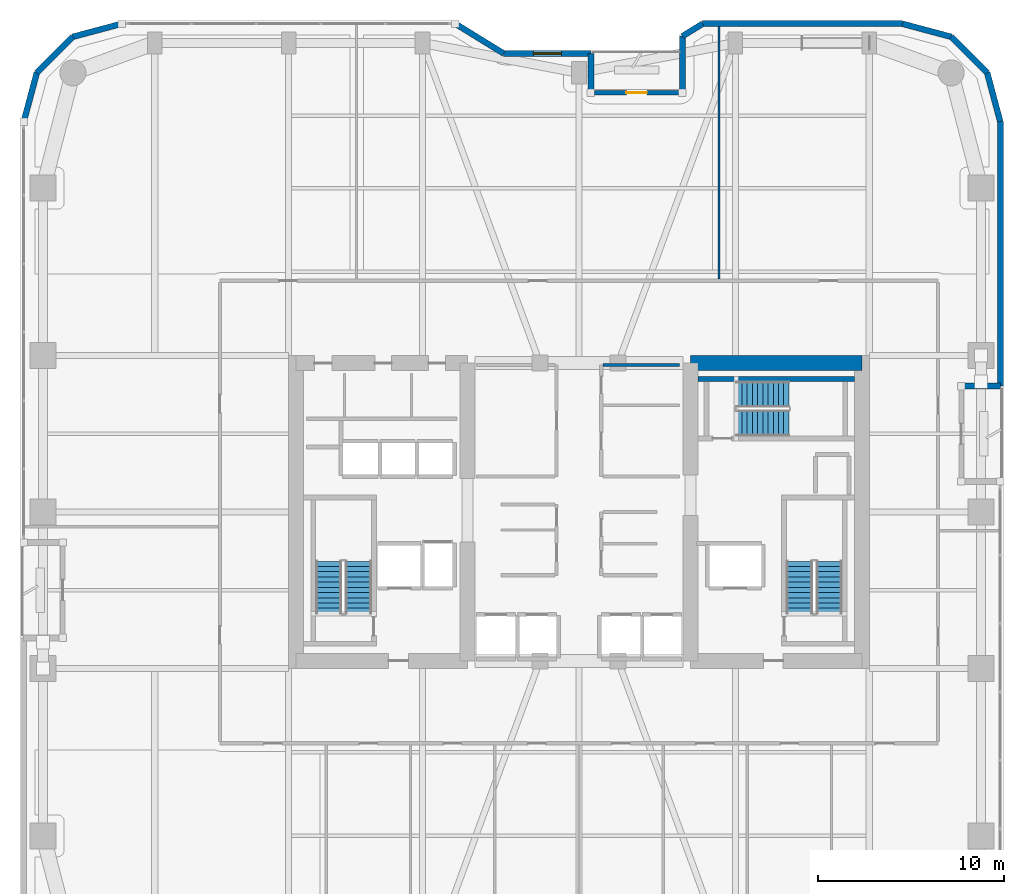
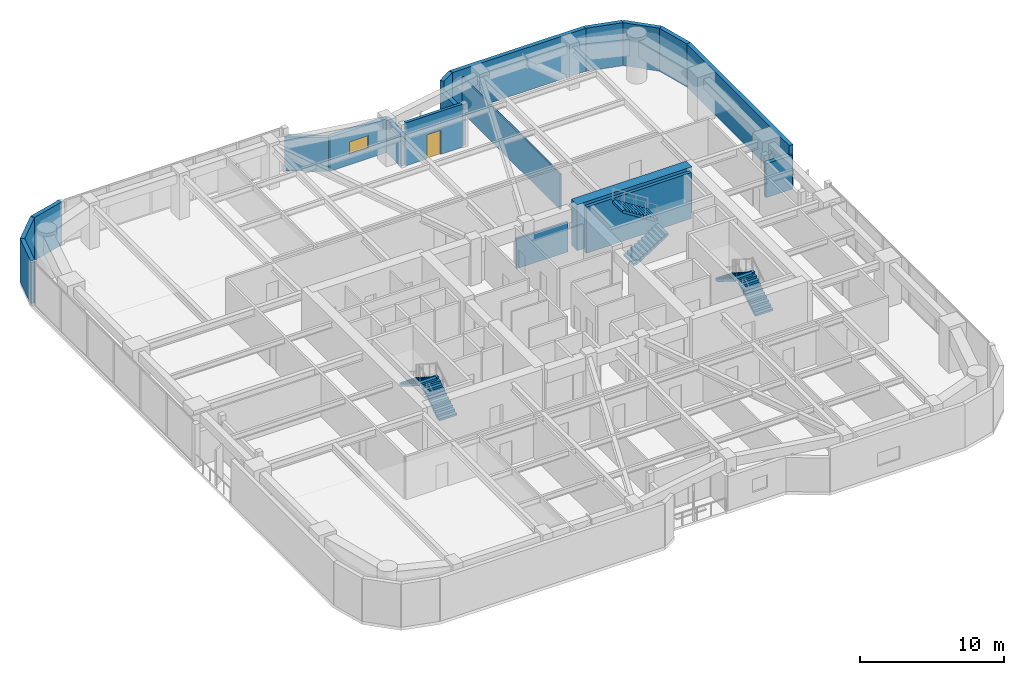
# One storey, part 21 of 24: 19 walls, 6 stair flights, 1 door, 1 window, 2 openings, 3 elements without a shape of their own.
"""IFC4 building model written with IfcOpenShell, lengths in metres."""

from ifc_helpers import new_model, si_unit, direction, frame, frame_2d, origin, place, context, subcontext, project, spatial, polyline, rectangle, outline, extrude, material, layer, layer_set, type_object, element, fill, aggregate, save


model = new_model("IFC4")

# Units and contexts
model_context = context("Model", 3, precision=1e-05, world=origin(), true_north=direction((0.0, 1.0)))
body_context = subcontext(model_context, "Body", "Model", "MODEL_VIEW")
ifc_project = project(units=[si_unit("LENGTHUNIT", "METRE"), si_unit("AREAUNIT", "SQUARE_METRE"), si_unit("VOLUMEUNIT", "CUBIC_METRE"), si_unit("PLANEANGLEUNIT", "RADIAN"), si_unit("MASSUNIT", "GRAM", prefix="KILO")], contexts=[model_context])

# Site, building, storey
site_placement = place(None, origin())
site = spatial("IfcSite", under=ifc_project, at=site_placement, CompositionType="ELEMENT")
building_placement = place(site_placement, origin())
building = spatial("IfcBuilding", under=site, at=building_placement, Name="Kiyonajd Concourse Tower", CompositionType="ELEMENT")
storey_placement = place(building_placement, frame((0.0, 0.0, 113.10009765625)))
storey = spatial("IfcBuildingStorey", under=building, at=storey_placement, Name="L29", CompositionType="ELEMENT", Elevation=113.10009765625)

# Walls
ifc_material_1 = material(Name="Concrete C70/85", Category="concrete")
ifc_layer_1 = layer(ifc_material_1, 0.800048828125)
ifc_layer_set_1 = layer_set([ifc_layer_1], Name="Concrete C70/85")
wall_type_1 = type_object("IfcWallType", Name="WL-CORE-800", PredefinedType="SHEAR", material=ifc_layer_set_1)
wall_1_placement = place(storey_placement, frame((54.0, 44.0, 0.0), z_axis=(0.0, 0.0, 1.0), x_axis=(1.0, 0.0, 0.0)))
element("IfcWall", 1, at=wall_1_placement, inside=storey, type_object=wall_type_1, Name="L29 East Core North Shear Wall", PredefinedType="SHEAR", context=body_context, shape_type="SweptSolid", body=[
    extrude(rectangle(XDim=9.199951171875, YDim=0.800048828125, at=frame_2d((4.60009765625, 0.0))), origin(), (0.0, 0.0, 1.0), 3.89990234375),
])
ifc_material_2 = material(Name="Precast concrete C50/60", Category="concrete")
ifc_layer_2 = layer(ifc_material_2, 0.320068359375)
ifc_layer_set_2 = layer_set([ifc_layer_2], Name="Precast concrete C50/60")
wall_type_2 = type_object("IfcWallType", Name="WL-EXT-320", PredefinedType="SOLIDWALL", material=ifc_layer_set_2)
wall_2_placement = place(storey_placement, frame((18.159912109375, 56.97900390625, 0.0), z_axis=(0.0, 0.0, 1.0), x_axis=(0.25869736047, 0.965958423373, 0.0)))
element("IfcWall", 2, at=wall_2_placement, inside=storey, type_object=wall_type_2, Name="L29 Exterior Concrete Frame Wall 06", PredefinedType="SOLIDWALL", context=body_context, shape_type="SweptSolid", body=[
    extrude(rectangle(XDim=2.731201171875, YDim=0.320068359375, at=frame_2d((1.36572265625, 0.0))), origin(), (0.0, 0.0, 1.0), 3.639892578125),
])
wall_3_placement = place(storey_placement, frame((18.866455078125, 59.6171875, 0.0), z_axis=(0.0, 0.0, 1.0), x_axis=(0.707106781187, 0.707106781187, 0.0)))
element("IfcWall", 3, at=wall_3_placement, inside=storey, type_object=wall_type_2, Name="L29 Exterior Concrete Frame Wall 07", PredefinedType="SOLIDWALL", context=body_context, shape_type="SweptSolid", body=[
    extrude(rectangle(XDim=2.7099609375, YDim=0.320068359375, at=frame_2d((1.35498046875, 0.0))), origin(), (0.0, 0.0, 1.0), 3.639892578125),
])
wall_4_placement = place(storey_placement, frame((20.78271484375, 61.533447265625, 0.0), z_axis=(0.0, 0.0, 1.0), x_axis=(0.965964405026, 0.25867502435, 0.0)))
element("IfcWall", 4, at=wall_4_placement, inside=storey, type_object=wall_type_2, Name="L29 Exterior Concrete Frame Wall 08", PredefinedType="SOLIDWALL", context=body_context, shape_type="SweptSolid", body=[
    extrude(rectangle(XDim=2.7314453125, YDim=0.320068359375, at=frame_2d((1.36572265625, 0.0))), origin(), (0.0, 0.0, 1.0), 3.639892578125),
])
wall_5_placement = place(storey_placement, frame((41.354736328125, 62.239990234375, 0.0), z_axis=(0.0, 0.0, 1.0), x_axis=(0.851630857047, -0.524142044989, 0.0)))
element("IfcWall", 5, at=wall_5_placement, inside=storey, type_object=wall_type_2, Name="L29 Exterior Concrete Frame Wall 10", PredefinedType="SOLIDWALL", context=body_context, shape_type="SweptSolid", body=[
    extrude(rectangle(XDim=3.052734375, YDim=0.320068359375, at=frame_2d((1.5263671875, 0.0))), origin(), (0.0, 0.0, 1.0), 2.875),
])

# Wall, opening, window
wall_6_placement = place(storey_placement, frame((43.95458984375, 60.639892578125, 0.0), z_axis=(0.0, 0.0, 1.0), x_axis=(1.0, 0.0, 0.0)))
wall_6 = element("IfcWall", 6, at=wall_6_placement, inside=storey, type_object=wall_type_2, Name="L29 Exterior Concrete Frame Wall 11", PredefinedType="SOLIDWALL", context=body_context, shape_type="SweptSolid", body=[
    extrude(rectangle(XDim=4.685302734375, YDim=0.320068359375, at=frame_2d((2.3427734375, 0.0))), origin(), (0.0, 0.0, 1.0), 2.875),
])
opening_1_placement = place(wall_6_placement, frame((1.593017578125, 0.0, 0.85009765625)))
opening_1 = element("IfcOpeningElement", 7, at=opening_1_placement, cuts=wall_6, Name="Opening WN2", PredefinedType="OPENING", context=body_context, shape_type="SweptSolid", body=[
    extrude(rectangle(XDim=1.5, YDim=1.10009765625, at=frame_2d((0.75, 0.550048828125))), frame((0.0, 0.169921875, 0.0), z_axis=(0.0, -1.0, 0.0), x_axis=(1.0, 0.0, 0.0)), (0.0, 0.0, 1.0), 0.340087890625),
])
ifc_material_3 = material(Name="Double Low-E Insulated Glass", Category="glass")
window_type = type_object("IfcWindowType", Name="WN-VIS-1500x1100", PartitioningType="SINGLE_PANEL", PredefinedType="WINDOW", material=ifc_material_3)
window_placement = place(opening_1_placement, origin())
window = element("IfcWindow", 8, at=window_placement, inside=storey, type_object=window_type, Name="L29 Modular Facade Vision Window 11", OverallHeight=1.10009765625, OverallWidth=1.5, PartitioningType="SINGLE_PANEL", PredefinedType="WINDOW", context=body_context, shape_type="SweptSolid", body=[
    extrude(rectangle(XDim=1.5, YDim=1.10009765625, at=frame_2d((0.75, 0.550048828125))), frame((0.0, 0.030029296875, 0.0), z_axis=(0.0, -1.0, 0.0), x_axis=(1.0, 0.0, 0.0)), (0.0, 0.0, 1.0), 0.06005859375),
])
fill(opening_1, window)

# Walls
wall_7_placement = place(storey_placement, frame((48.639892578125, 60.639892578125, 0.0), z_axis=(0.0, 0.0, 1.0), x_axis=(0.0, -1.0, 0.0)))
element("IfcWall", 9, at=wall_7_placement, inside=storey, type_object=wall_type_2, Name="L29 Exterior Concrete Frame Wall 12", PredefinedType="SOLIDWALL", context=body_context, shape_type="SweptSolid", body=[
    extrude(rectangle(XDim=2.099853515625, YDim=0.320068359375, at=frame_2d((1.0498046875, 0.0))), origin(), (0.0, 0.0, 1.0), 2.875),
])
wall_8_placement = place(storey_placement, frame((53.56005859375, 58.5400390625, 0.0), z_axis=(0.0, 0.0, 1.0), x_axis=(0.0, 1.0, 0.0)))
element("IfcWall", 10, at=wall_8_placement, inside=storey, type_object=wall_type_2, Name="L29 Exterior Concrete Frame Wall 14", PredefinedType="SOLIDWALL", context=body_context, shape_type="SweptSolid", body=[
    extrude(rectangle(XDim=3.032470703125, YDim=0.320068359375, at=frame_2d((1.51611328125, 0.0))), origin(), (0.0, 0.0, 1.0), 2.875),
])
wall_9_placement = place(storey_placement, frame((53.56005859375, 61.572509765625, 0.0), z_axis=(0.0, 0.0, 1.0), x_axis=(0.851776724646, 0.523904964045, 0.0)))
element("IfcWall", 11, at=wall_9_placement, inside=storey, type_object=wall_type_2, Name="L29 Exterior Concrete Frame Wall 15", PredefinedType="SOLIDWALL", context=body_context, shape_type="SweptSolid", body=[
    extrude(rectangle(XDim=1.274169921875, YDim=0.320068359375, at=frame_2d((0.63720703125, 0.0))), origin(), (0.0, 0.0, 1.0), 3.639892578125),
])
wall_10_placement = place(storey_placement, frame((54.645263671875, 62.239990234375, 0.0), z_axis=(0.0, 0.0, 1.0), x_axis=(1.0, 0.0, 0.0)))
element("IfcWall", 12, at=wall_10_placement, inside=storey, type_object=wall_type_2, Name="L29 Exterior Concrete Frame Wall 16", PredefinedType="SOLIDWALL", context=body_context, shape_type="SweptSolid", body=[
    extrude(rectangle(XDim=10.733642578125, YDim=0.320068359375, at=frame_2d((5.36669921875, 0.0))), origin(), (0.0, 0.0, 1.0), 3.639892578125),
])
wall_11_placement = place(storey_placement, frame((65.37890625, 62.239990234375, 0.0), z_axis=(0.0, 0.0, 1.0), x_axis=(0.965958423373, -0.25869736047, 0.0)))
element("IfcWall", 13, at=wall_11_placement, inside=storey, type_object=wall_type_2, Name="L29 Exterior Concrete Frame Wall 17", PredefinedType="SOLIDWALL", context=body_context, shape_type="SweptSolid", body=[
    extrude(rectangle(XDim=2.731201171875, YDim=0.320068359375, at=frame_2d((1.36572265625, 0.0))), origin(), (0.0, 0.0, 1.0), 3.639892578125),
])
wall_12_placement = place(storey_placement, frame((68.01708984375, 61.533447265625, 0.0), z_axis=(0.0, 0.0, 1.0), x_axis=(0.707151821269, -0.707061738235, 0.0)))
element("IfcWall", 14, at=wall_12_placement, inside=storey, type_object=wall_type_2, Name="L29 Exterior Concrete Frame Wall 18", PredefinedType="SOLIDWALL", context=body_context, shape_type="SweptSolid", body=[
    extrude(rectangle(XDim=2.710205078125, YDim=0.320068359375, at=frame_2d((1.35498046875, 0.0))), origin(), (0.0, 0.0, 1.0), 3.639892578125),
])
wall_13_placement = place(storey_placement, frame((69.93359375, 59.6171875, 0.0), z_axis=(0.0, 0.0, 1.0), x_axis=(0.258613949072, -0.965980758269, 0.0)))
element("IfcWall", 15, at=wall_13_placement, inside=storey, type_object=wall_type_2, Name="L29 Exterior Concrete Frame Wall 19", PredefinedType="SOLIDWALL", context=body_context, shape_type="SweptSolid", body=[
    extrude(rectangle(XDim=2.731201171875, YDim=0.320068359375, at=frame_2d((1.36572265625, 0.0))), origin(), (0.0, 0.0, 1.0), 3.639892578125),
])
wall_14_placement = place(storey_placement, frame((70.639892578125, 56.97900390625, 0.0), z_axis=(0.0, 0.0, 1.0), x_axis=(0.0, -1.0, 0.0)))
element("IfcWall", 16, at=wall_14_placement, inside=storey, type_object=wall_type_2, Name="L29 Exterior Concrete Frame Wall 20", PredefinedType="SOLIDWALL", context=body_context, shape_type="SweptSolid", body=[
    extrude(rectangle(XDim=14.218994140625, YDim=0.320068359375, at=frame_2d((7.109375, 0.0))), origin(), (0.0, 0.0, 1.0), 3.639892578125),
])
wall_15_placement = place(storey_placement, frame((70.639892578125, 42.760009765625, 0.0), z_axis=(0.0, 0.0, 1.0), x_axis=(-1.0, 0.0, 0.0)))
element("IfcWall", 17, at=wall_15_placement, inside=storey, type_object=wall_type_2, Name="L29 Exterior Concrete Frame Wall 21", PredefinedType="SOLIDWALL", context=body_context, shape_type="SweptSolid", body=[
    extrude(rectangle(XDim=2.099853515625, YDim=0.320068359375, at=frame_2d((1.0498046875, 0.0))), origin(), (0.0, 0.0, 1.0), 2.875),
])

# Wall, opening, door
ifc_layer_3 = layer(ifc_material_2, 0.239990234375)
ifc_layer_set_3 = layer_set([ifc_layer_3], Name="Precast concrete C50/60")
wall_type_3 = type_object("IfcWallType", Name="WL-LOG-240", PredefinedType="SOLIDWALL", material=ifc_layer_set_3)
wall_16_placement = place(storey_placement, frame((48.8349609375, 58.5400390625, 0.0), z_axis=(0.0, 0.0, 1.0), x_axis=(1.0, 0.0, 0.0)))
wall_16 = element("IfcWall", 18, at=wall_16_placement, inside=storey, type_object=wall_type_3, Name="L29 Recessed Loggia Thermal Wall LOG-N", PredefinedType="SOLIDWALL", context=body_context, shape_type="SweptSolid", body=[
    extrude(rectangle(XDim=4.530029296875, YDim=0.239990234375, at=frame_2d((2.26513671875, 0.0))), origin(), (0.0, 0.0, 1.0), 3.639892578125),
])
opening_2_placement = place(wall_16_placement, frame((1.715087890625, 0.0, 0.0)))
opening_2 = element("IfcOpeningElement", 19, at=opening_2_placement, cuts=wall_16, Name="Opening DL2", PredefinedType="OPENING", context=body_context, shape_type="SweptSolid", body=[
    extrude(rectangle(XDim=1.10009765625, YDim=2.0400390625, at=frame_2d((0.550048828125, 1.02001953125))), frame((0.0, 0.1298828125, 0.0), z_axis=(0.0, -1.0, 0.0), x_axis=(1.0, 0.0, 0.0)), (0.0, 0.0, 1.0), 0.260009765625),
])
ifc_material_4 = material(Name="Thermally Broken Anodised Aluminium", Category="aluminium")
door_type = type_object("IfcDoorType", Name="DR-LOG-1100", OperationType="NOTDEFINED", PredefinedType="DOOR", material=ifc_material_4)
door_placement = place(opening_2_placement, origin())
door = element("IfcDoor", 20, at=door_placement, inside=storey, type_object=door_type, Name="L29 Engawa Loggia Access Door LOG-N", OperationType="SINGLE_SWING_RIGHT", OverallHeight=2.0400390625, OverallWidth=1.10009765625, PredefinedType="DOOR", context=body_context, shape_type="SweptSolid", body=[
    extrude(rectangle(XDim=1.10009765625, YDim=2.0400390625, at=frame_2d((0.550048828125, 1.02001953125))), frame((0.0, 0.02490234375, 0.0), z_axis=(0.0, -1.0, 0.0), x_axis=(1.0, 0.0, 0.0)), (0.0, 0.0, 1.0), 0.050048828125),
])
fill(opening_2, door)

# Walls
ifc_material_5 = material(Name="Gypsum Board on Cold-Formed Steel Stud", Category="steel")
ifc_layer_4 = layer(ifc_material_5, 0.125)
ifc_layer_set_4 = layer_set([ifc_layer_4], Name="Gypsum Board on Cold-Formed Steel Stud")
wall_type_4 = type_object("IfcWallType", Name="WL-PART-125", PredefinedType="PARTITIONING", material=ifc_layer_set_4)
wall_17_placement = place(storey_placement, frame((55.52001953125, 48.51708984375, 0.0), z_axis=(0.0, 0.0, 1.0), x_axis=(0.0, 1.0, 0.0)))
element("IfcWall", 21, at=wall_17_placement, inside=storey, type_object=wall_type_4, Name="L29 Interior Partition Wall", PredefinedType="PARTITIONING", context=body_context, shape_type="SweptSolid", body=[
    extrude(rectangle(XDim=13.56787109375, YDim=0.125, at=frame_2d((6.783935546875, 0.0))), origin(), (0.0, 0.0, 1.0), 3.0029296875),
])
ifc_layer_5 = layer(ifc_material_5, 0.169921875)
ifc_layer_set_5 = layer_set([ifc_layer_5], Name="Gypsum Board on Cold-Formed Steel Stud")
wall_type_5 = type_object("IfcWallType", Name="WL-SMK-170", PredefinedType="PARTITIONING", material=ifc_layer_set_5)
wall_18_placement = place(storey_placement, frame((49.287109375, 43.89990234375, 0.0), z_axis=(0.0, 0.0, 1.0), x_axis=(1.0, 0.0, 0.0)))
element("IfcWall", 22, at=wall_18_placement, inside=storey, type_object=wall_type_5, Name="L29 Interior Partition Wall", PredefinedType="PARTITIONING", context=body_context, shape_type="SweptSolid", body=[
    extrude(rectangle(XDim=4.11279296875, YDim=0.169921875, at=frame_2d((2.056396484375, 0.0))), origin(), (0.0, 0.0, 1.0), 2.52490234375),
])
ifc_material_6 = material(Name="Concrete C50/60", Category="concrete")
ifc_layer_6 = layer(ifc_material_6, 0.260009765625)
ifc_layer_set_6 = layer_set([ifc_layer_6], Name="Concrete C50/60")
wall_type_6 = type_object("IfcWallType", Name="WL-STAIR-260", PredefinedType="SHEAR", material=ifc_layer_set_6)
wall_19_placement = place(storey_placement, frame((54.39990234375, 43.14990234375, 0.0), z_axis=(0.0, 0.0, 1.0), x_axis=(1.0, 0.0, 0.0)))
element("IfcWall", 23, at=wall_19_placement, inside=storey, type_object=wall_type_6, Name="L29 Stair ST3 Structural North Wall", PredefinedType="SHEAR", context=body_context, shape_type="SweptSolid", body=[
    extrude(rectangle(XDim=8.400146484375, YDim=0.260009765625, at=frame_2d((4.2001953125, 0.0))), origin(), (0.0, 0.0, 1.0), 3.89990234375),
])

# Stair, stair flights
ifc_material_7 = material(Name="Concrete C40/50", Category="concrete")
stair_type = type_object("IfcStairType", Name="ST-DLG-22R", PredefinedType="HALF_TURN_STAIR", material=ifc_material_7)
stair_1_placement = place(storey_placement, origin())
stair_1 = element("IfcStair", 24, at=stair_1_placement, inside=storey, type_object=stair_type, Name="L29 Protected Exit Stair ST1", PredefinedType="HALF_TURN_STAIR")
stair_flight_type = type_object("IfcStairFlightType", Name="SF-STR-22R", PredefinedType="STRAIGHT", material=ifc_material_7)
stair_flight_1_placement = place(storey_placement, frame((36.14990234375, 30.550048828125, 0.0), z_axis=(0.0, 0.0, 1.0), x_axis=(0.0, 1.0, 0.0)))
stair_flight_1 = element("IfcStairFlight", 25, at=stair_flight_1_placement, type_object=stair_flight_type, Name="ST1 flight 1", NumberOfRisers=11, NumberOfTreads=10, PredefinedType="STRAIGHT", RiserHeight=0.177272727, TreadLength=0.28, context=body_context, shape_type="SweptSolid", body=[
    extrude(outline(polyline([(0.0, 0.0), (0.0, 0.17724609375), (0.280029296875, 0.17724609375), (0.280029296875, 0.3544921875), (0.56005859375, 0.3544921875), (0.56005859375, 0.53173828125), (0.840087890625, 0.53173828125), (0.840087890625, 0.708984375), (1.1201171875, 0.708984375), (1.1201171875, 0.886474609375), (1.39990234375, 0.886474609375), (1.39990234375, 1.063720703125), (1.679931640625, 1.063720703125), (1.679931640625, 1.240966796875), (1.9599609375, 1.240966796875), (1.9599609375, 1.418212890625), (2.239990234375, 1.418212890625), (2.239990234375, 1.595458984375), (2.52001953125, 1.595458984375), (2.52001953125, 1.772705078125), (2.800048828125, 1.772705078125), (2.800048828125, 1.949951171875), (2.800048828125, 1.59521484375), (0.2802734375, 0.0), (0.0, 0.0)])), frame((0.0, 0.699951171875, 0.0), z_axis=(0.0, -1.0, 0.0), x_axis=(1.0, 0.0, 0.0)), (0.0, 0.0, 1.0), 1.39990234375),
])
stair_flight_2_placement = place(storey_placement, frame((34.550048828125, 33.35009765625, 1.949951171875), z_axis=(0.0, 0.0, 1.0), x_axis=(0.0, -1.0, 0.0)))
stair_flight_2 = element("IfcStairFlight", 26, at=stair_flight_2_placement, type_object=stair_flight_type, Name="ST1 flight 2", NumberOfRisers=11, NumberOfTreads=10, PredefinedType="STRAIGHT", RiserHeight=0.177272727, TreadLength=0.28, context=body_context, shape_type="SweptSolid", body=[
    extrude(outline(polyline([(0.0, 0.0), (0.0, 0.17724609375), (0.280029296875, 0.17724609375), (0.280029296875, 0.3544921875), (0.56005859375, 0.3544921875), (0.56005859375, 0.53173828125), (0.840087890625, 0.53173828125), (0.840087890625, 0.708984375), (1.1201171875, 0.708984375), (1.1201171875, 0.886474609375), (1.39990234375, 0.886474609375), (1.39990234375, 1.063720703125), (1.679931640625, 1.063720703125), (1.679931640625, 1.240966796875), (1.9599609375, 1.240966796875), (1.9599609375, 1.418212890625), (2.239990234375, 1.418212890625), (2.239990234375, 1.595458984375), (2.52001953125, 1.595458984375), (2.52001953125, 1.772705078125), (2.800048828125, 1.772705078125), (2.800048828125, 1.949951171875), (2.800048828125, 1.59521484375), (0.2802734375, 0.0), (0.0, 0.0)])), frame((0.0, 0.699951171875, 0.0), z_axis=(0.0, -1.0, 0.0), x_axis=(1.0, 0.0, 0.0)), (0.0, 0.0, 1.0), 1.39990234375),
])
aggregate(stair_1, [stair_flight_1, stair_flight_2])

stair_2_placement = place(storey_placement, origin())
stair_2 = element("IfcStair", 27, at=stair_2_placement, inside=storey, type_object=stair_type, Name="L29 Protected Exit Stair ST2", PredefinedType="HALF_TURN_STAIR")
stair_flight_3_placement = place(storey_placement, frame((61.449951171875, 30.550048828125, 0.0), z_axis=(0.0, 0.0, 1.0), x_axis=(0.0, 1.0, 0.0)))
stair_flight_3 = element("IfcStairFlight", 28, at=stair_flight_3_placement, type_object=stair_flight_type, Name="ST2 flight 1", NumberOfRisers=11, NumberOfTreads=10, PredefinedType="STRAIGHT", RiserHeight=0.177272727, TreadLength=0.28, context=body_context, shape_type="SweptSolid", body=[
    extrude(outline(polyline([(0.0, 0.0), (0.0, 0.17724609375), (0.280029296875, 0.17724609375), (0.280029296875, 0.3544921875), (0.56005859375, 0.3544921875), (0.56005859375, 0.53173828125), (0.840087890625, 0.53173828125), (0.840087890625, 0.708984375), (1.1201171875, 0.708984375), (1.1201171875, 0.886474609375), (1.39990234375, 0.886474609375), (1.39990234375, 1.063720703125), (1.679931640625, 1.063720703125), (1.679931640625, 1.240966796875), (1.9599609375, 1.240966796875), (1.9599609375, 1.418212890625), (2.239990234375, 1.418212890625), (2.239990234375, 1.595458984375), (2.52001953125, 1.595458984375), (2.52001953125, 1.772705078125), (2.800048828125, 1.772705078125), (2.800048828125, 1.949951171875), (2.800048828125, 1.59521484375), (0.2802734375, 0.0), (0.0, 0.0)])), frame((0.0, 0.699951171875, 0.0), z_axis=(0.0, -1.0, 0.0), x_axis=(1.0, 0.0, 0.0)), (0.0, 0.0, 1.0), 1.39990234375),
])
stair_flight_4_placement = place(storey_placement, frame((59.85009765625, 33.35009765625, 1.949951171875), z_axis=(0.0, 0.0, 1.0), x_axis=(0.0, -1.0, 0.0)))
stair_flight_4 = element("IfcStairFlight", 29, at=stair_flight_4_placement, type_object=stair_flight_type, Name="ST2 flight 2", NumberOfRisers=11, NumberOfTreads=10, PredefinedType="STRAIGHT", RiserHeight=0.177272727, TreadLength=0.28, context=body_context, shape_type="SweptSolid", body=[
    extrude(outline(polyline([(0.0, 0.0), (0.0, 0.17724609375), (0.280029296875, 0.17724609375), (0.280029296875, 0.3544921875), (0.56005859375, 0.3544921875), (0.56005859375, 0.53173828125), (0.840087890625, 0.53173828125), (0.840087890625, 0.708984375), (1.1201171875, 0.708984375), (1.1201171875, 0.886474609375), (1.39990234375, 0.886474609375), (1.39990234375, 1.063720703125), (1.679931640625, 1.063720703125), (1.679931640625, 1.240966796875), (1.9599609375, 1.240966796875), (1.9599609375, 1.418212890625), (2.239990234375, 1.418212890625), (2.239990234375, 1.595458984375), (2.52001953125, 1.595458984375), (2.52001953125, 1.772705078125), (2.800048828125, 1.772705078125), (2.800048828125, 1.949951171875), (2.800048828125, 1.59521484375), (0.2802734375, 0.0), (0.0, 0.0)])), frame((0.0, 0.699951171875, 0.0), z_axis=(0.0, -1.0, 0.0), x_axis=(1.0, 0.0, 0.0)), (0.0, 0.0, 1.0), 1.39990234375),
])
aggregate(stair_2, [stair_flight_3, stair_flight_4])

stair_3_placement = place(storey_placement, origin())
stair_3 = element("IfcStair", 30, at=stair_3_placement, inside=storey, type_object=stair_type, Name="L29 Protected Exit Stair ST3", PredefinedType="HALF_TURN_STAIR")
stair_flight_5_placement = place(storey_placement, frame((56.47998046875, 40.780029296875, 0.0), z_axis=(0.0, 0.0, 1.0), x_axis=(1.0, 0.0, 0.0)))
stair_flight_5 = element("IfcStairFlight", 31, at=stair_flight_5_placement, type_object=stair_flight_type, Name="ST3 flight 1", NumberOfRisers=11, NumberOfTreads=10, PredefinedType="STRAIGHT", RiserHeight=0.177272727, TreadLength=0.28, context=body_context, shape_type="SweptSolid", body=[
    extrude(outline(polyline([(0.0, 0.0), (0.0, 0.17724609375), (0.280029296875, 0.17724609375), (0.280029296875, 0.3544921875), (0.56005859375, 0.3544921875), (0.56005859375, 0.53173828125), (0.840087890625, 0.53173828125), (0.840087890625, 0.708984375), (1.1201171875, 0.708984375), (1.1201171875, 0.886474609375), (1.39990234375, 0.886474609375), (1.39990234375, 1.063720703125), (1.679931640625, 1.063720703125), (1.679931640625, 1.240966796875), (1.9599609375, 1.240966796875), (1.9599609375, 1.418212890625), (2.239990234375, 1.418212890625), (2.239990234375, 1.595458984375), (2.52001953125, 1.595458984375), (2.52001953125, 1.772705078125), (2.800048828125, 1.772705078125), (2.800048828125, 1.949951171875), (2.800048828125, 1.59521484375), (0.2802734375, 0.0), (0.0, 0.0)])), frame((0.0, 0.699951171875, 0.0), z_axis=(0.0, -1.0, 0.0), x_axis=(1.0, 0.0, 0.0)), (0.0, 0.0, 1.0), 1.39990234375),
])
stair_flight_6_placement = place(storey_placement, frame((59.280029296875, 42.320068359375, 1.949951171875), z_axis=(0.0, 0.0, 1.0), x_axis=(-1.0, 0.0, 0.0)))
stair_flight_6 = element("IfcStairFlight", 32, at=stair_flight_6_placement, type_object=stair_flight_type, Name="ST3 flight 2", NumberOfRisers=11, NumberOfTreads=10, PredefinedType="STRAIGHT", RiserHeight=0.177272727, TreadLength=0.28, context=body_context, shape_type="SweptSolid", body=[
    extrude(outline(polyline([(0.0, 0.0), (0.0, 0.17724609375), (0.280029296875, 0.17724609375), (0.280029296875, 0.3544921875), (0.56005859375, 0.3544921875), (0.56005859375, 0.53173828125), (0.840087890625, 0.53173828125), (0.840087890625, 0.708984375), (1.1201171875, 0.708984375), (1.1201171875, 0.886474609375), (1.39990234375, 0.886474609375), (1.39990234375, 1.063720703125), (1.679931640625, 1.063720703125), (1.679931640625, 1.240966796875), (1.9599609375, 1.240966796875), (1.9599609375, 1.418212890625), (2.239990234375, 1.418212890625), (2.239990234375, 1.595458984375), (2.52001953125, 1.595458984375), (2.52001953125, 1.772705078125), (2.800048828125, 1.772705078125), (2.800048828125, 1.949951171875), (2.800048828125, 1.59521484375), (0.2802734375, 0.0), (0.0, 0.0)])), frame((0.0, 0.699951171875, 0.0), z_axis=(0.0, -1.0, 0.0), x_axis=(1.0, 0.0, 0.0)), (0.0, 0.0, 1.0), 1.39990234375),
])
aggregate(stair_3, [stair_flight_5, stair_flight_6])

save(model, "model.ifc")
